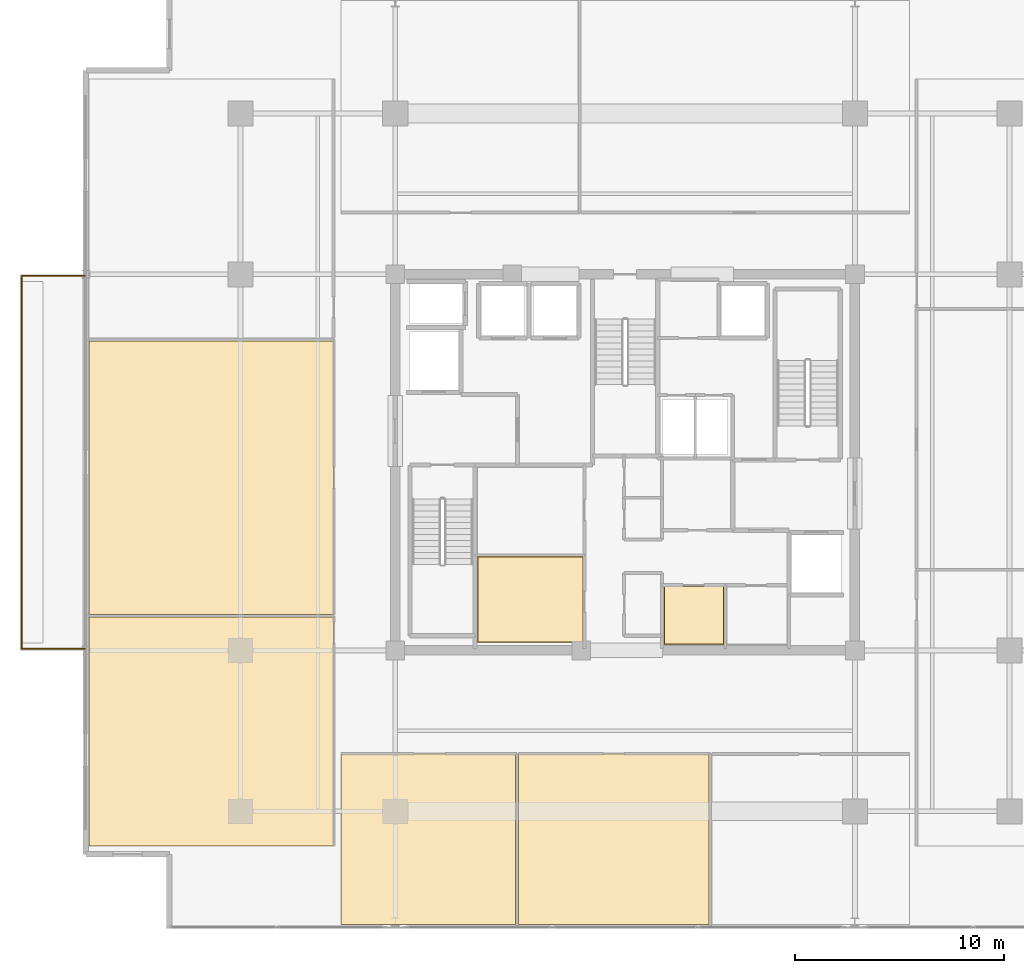
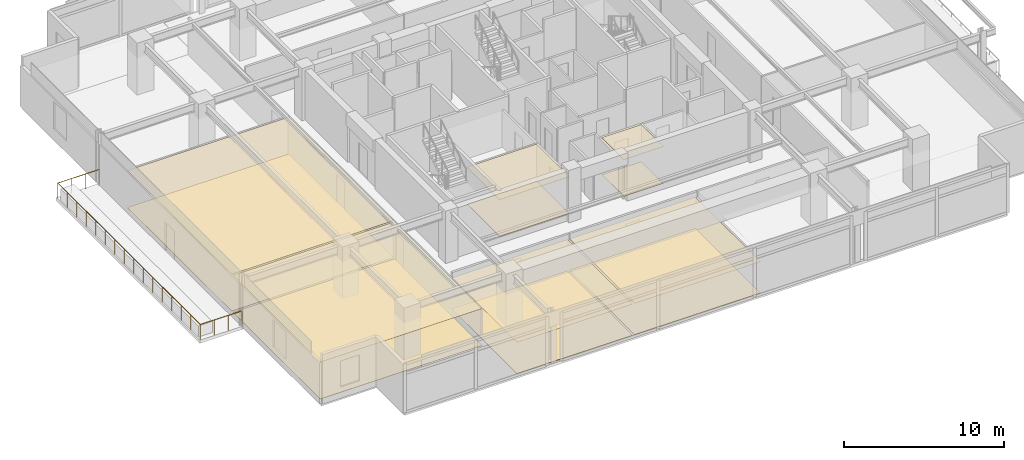
# One storey, part 17 of 20: 12 coverings, 1 railing.
"""IFC4 building model written with IfcOpenShell, lengths in metres."""

from ifc_helpers import new_model, si_unit, direction, frame, origin, origin_2d, place, context, subcontext, project, spatial, polyline, circle, outline, extrude, material, layer, layer_set, type_object, element, save


model = new_model("IFC4")

# Units and contexts
model_context = context("Model", 3, precision=1e-05, world=origin(), true_north=direction((0.0, 1.0)))
body_context = subcontext(model_context, "Body", "Model", "MODEL_VIEW")
ifc_project = project(units=[si_unit("LENGTHUNIT", "METRE"), si_unit("AREAUNIT", "SQUARE_METRE"), si_unit("VOLUMEUNIT", "CUBIC_METRE"), si_unit("PLANEANGLEUNIT", "RADIAN"), si_unit("MASSUNIT", "GRAM", prefix="KILO")], contexts=[model_context])

# Site, building, storey
site_placement = place(None, origin())
site = spatial("IfcSite", under=ifc_project, at=site_placement, CompositionType="ELEMENT")
building_placement = place(site_placement, origin())
building = spatial("IfcBuilding", under=site, at=building_placement, Name="Kovane Verandah Tower", CompositionType="ELEMENT")
storey_placement = place(building_placement, frame((0.0, 0.0, 279.199951171875)))
storey = spatial("IfcBuildingStorey", under=building, at=storey_placement, Name="L65", CompositionType="ELEMENT", Elevation=279.199951171875)

# Coverings
ifc_material_1 = material(Name="Perforated Acoustic Mineral-Fibre Ceiling Tile", Category="gypsum")
ifc_layer_1 = layer(ifc_material_1, 0.02490234375)
ifc_layer_set_1 = layer_set([ifc_layer_1], Name="Perforated Acoustic Mineral-Fibre Ceiling Tile")
covering_type_1 = type_object("IfcCoveringType", Name="CV-CEIL-25", PredefinedType="CEILING", material=ifc_layer_set_1)
covering_1_placement = place(storey_placement, frame((0.0, 0.0, 2.824951171875)))
element("IfcCovering", 1, at=covering_1_placement, inside=storey, type_object=covering_type_1, Name="L65 IT Server Room Acoustic Ceiling", PredefinedType="CEILING", context=body_context, shape_type="SweptSolid", body=[
    extrude(outline(polyline([(32.93505859375, 18.885009765625), (37.9951171875, 18.885009765625), (37.9951171875, 22.9951171875), (32.93505859375, 22.9951171875), (32.93505859375, 18.885009765625)])), origin(), (0.0, 0.0, 1.0), 0.025146484375),
])
covering_2_placement = place(storey_placement, frame((0.0, 0.0, 2.824951171875)))
element("IfcCovering", 2, at=covering_2_placement, inside=storey, type_object=covering_type_1, Name="L65 AV Control Room Acoustic Ceiling", PredefinedType="CEILING", context=body_context, shape_type="SweptSolid", body=[
    extrude(outline(polyline([(41.864990234375, 18.784912109375), (44.735107421875, 18.784912109375), (44.735107421875, 21.56494140625), (41.864990234375, 21.56494140625), (41.864990234375, 18.784912109375)])), origin(), (0.0, 0.0, 1.0), 0.025146484375),
])
covering_3_placement = place(storey_placement, frame((0.0, 0.0, 2.39013671875)))
element("IfcCovering", 3, at=covering_3_placement, inside=storey, type_object=covering_type_1, Name="L65 Client Boardroom S1 Acoustic Ceiling", PredefinedType="CEILING", context=body_context, shape_type="SweptSolid", body=[
    extrude(outline(polyline([(26.39990234375, 5.393798828125), (34.761962890625, 5.393798828125), (34.761962890625, 13.550048828125), (26.39990234375, 13.550048828125), (26.39990234375, 5.393798828125)])), origin(), (0.0, 0.0, 1.0), 0.02490234375),
])
covering_4_placement = place(storey_placement, frame((0.0, 0.0, 2.39013671875)))
element("IfcCovering", 4, at=covering_4_placement, inside=storey, type_object=covering_type_1, Name="L65 Meeting Room S2 Acoustic Ceiling", PredefinedType="CEILING", context=body_context, shape_type="SweptSolid", body=[
    extrude(outline(polyline([(34.902099609375, 5.393798828125), (44.010009765625, 5.393798828125), (44.010009765625, 13.550048828125), (34.902099609375, 13.550048828125), (34.902099609375, 5.393798828125)])), origin(), (0.0, 0.0, 1.0), 0.02490234375),
])
covering_5_placement = place(storey_placement, frame((0.0, 0.0, 2.824951171875)))
element("IfcCovering", 5, at=covering_5_placement, inside=storey, type_object=covering_type_1, Name="L65 Breakout Pantry W1 Acoustic Ceiling", PredefinedType="CEILING", context=body_context, shape_type="SweptSolid", body=[
    extrude(outline(polyline([(14.34033203125, 9.143798828125), (26.050048828125, 9.143798828125), (26.050048828125, 20.08740234375), (14.34033203125, 20.08740234375), (14.34033203125, 9.143798828125)])), origin(), (0.0, 0.0, 1.0), 0.025146484375),
])
covering_6_placement = place(storey_placement, frame((0.0, 0.0, 2.824951171875)))
element("IfcCovering", 6, at=covering_6_placement, inside=storey, type_object=covering_type_1, Name="L65 Collaboration Hub W2 Acoustic Ceiling", PredefinedType="CEILING", context=body_context, shape_type="SweptSolid", body=[
    extrude(outline(polyline([(14.34033203125, 20.2275390625), (26.050048828125, 20.2275390625), (26.050048828125, 33.303955078125), (14.34033203125, 33.303955078125), (14.34033203125, 20.2275390625)])), origin(), (0.0, 0.0, 1.0), 0.025146484375),
])
ifc_material_2 = material(Name="Polished Terrazzo and Raised-Access Carpet Tile Finish", Category="concrete")
ifc_layer_2 = layer(ifc_material_2, 0.030029296875)
ifc_layer_set_2 = layer_set([ifc_layer_2], Name="Polished Terrazzo and Raised-Access Carpet Tile Finish")
covering_type_2 = type_object("IfcCoveringType", Name="CV-FLOR-30", PredefinedType="FLOORING", material=ifc_layer_set_2)
covering_7_placement = place(storey_placement, origin())
element("IfcCovering", 7, at=covering_7_placement, inside=storey, type_object=covering_type_2, Name="L65 IT Server Room Floor Finish", PredefinedType="FLOORING", context=body_context, shape_type="SweptSolid", body=[
    extrude(outline(polyline([(32.949951171875, 18.89990234375), (37.97998046875, 18.89990234375), (37.97998046875, 22.97998046875), (32.949951171875, 22.97998046875), (32.949951171875, 18.89990234375)])), origin(), (0.0, 0.0, 1.0), 0.030029296875),
])
covering_8_placement = place(storey_placement, origin())
element("IfcCovering", 8, at=covering_8_placement, inside=storey, type_object=covering_type_2, Name="L65 AV Control Room Floor Finish", PredefinedType="FLOORING", context=body_context, shape_type="SweptSolid", body=[
    extrude(outline(polyline([(41.8798828125, 18.800048828125), (44.719970703125, 18.800048828125), (44.719970703125, 21.550048828125), (41.8798828125, 21.550048828125), (41.8798828125, 18.800048828125)])), origin(), (0.0, 0.0, 1.0), 0.030029296875),
])
covering_9_placement = place(storey_placement, origin())
element("IfcCovering", 9, at=covering_9_placement, inside=storey, type_object=covering_type_2, Name="L65 Client Boardroom S1 Floor Finish", PredefinedType="FLOORING", context=body_context, shape_type="SweptSolid", body=[
    extrude(outline(polyline([(26.39990234375, 5.393798828125), (34.761962890625, 5.393798828125), (34.761962890625, 13.550048828125), (26.39990234375, 13.550048828125), (26.39990234375, 5.393798828125)])), origin(), (0.0, 0.0, 1.0), 0.030029296875),
])
covering_10_placement = place(storey_placement, origin())
element("IfcCovering", 10, at=covering_10_placement, inside=storey, type_object=covering_type_2, Name="L65 Meeting Room S2 Floor Finish", PredefinedType="FLOORING", context=body_context, shape_type="SweptSolid", body=[
    extrude(outline(polyline([(34.902099609375, 5.393798828125), (44.010009765625, 5.393798828125), (44.010009765625, 13.550048828125), (34.902099609375, 13.550048828125), (34.902099609375, 5.393798828125)])), origin(), (0.0, 0.0, 1.0), 0.030029296875),
])
covering_11_placement = place(storey_placement, origin())
element("IfcCovering", 11, at=covering_11_placement, inside=storey, type_object=covering_type_2, Name="L65 Breakout Pantry W1 Floor Finish", PredefinedType="FLOORING", context=body_context, shape_type="SweptSolid", body=[
    extrude(outline(polyline([(14.34033203125, 9.143798828125), (26.050048828125, 9.143798828125), (26.050048828125, 20.08740234375), (14.34033203125, 20.08740234375), (14.34033203125, 9.143798828125)])), origin(), (0.0, 0.0, 1.0), 0.030029296875),
])
covering_12_placement = place(storey_placement, origin())
element("IfcCovering", 12, at=covering_12_placement, inside=storey, type_object=covering_type_2, Name="L65 Collaboration Hub W2 Floor Finish", PredefinedType="FLOORING", context=body_context, shape_type="SweptSolid", body=[
    extrude(outline(polyline([(14.34033203125, 20.2275390625), (26.050048828125, 20.2275390625), (26.050048828125, 33.303955078125), (14.34033203125, 33.303955078125), (14.34033203125, 20.2275390625)])), origin(), (0.0, 0.0, 1.0), 0.030029296875),
])

# Railing
ifc_material_3 = material(Name="Laminated Glass and Pale-Champagne Stainless Balustrade", Category="glass")
railing_type = type_object("IfcRailingType", Name="RL-BAL-1150", PredefinedType="BALUSTRADE", material=ifc_material_3)
railing_placement = place(storey_placement, frame((14.140380859375, 18.580078125, 0.0)))
element("IfcRailing", 13, at=railing_placement, inside=storey, type_object=railing_type, Name="L65 W Verandah Glass Balustrade", PredefinedType="BALUSTRADE", context=body_context, shape_type="SweptSolid", body=[
    extrude(circle(Radius=0.02392578125, at=origin_2d()), frame((0.0, 0.0, 1.1259765625), z_axis=(-1.0, 0.0, 0.0), x_axis=(0.0, -1.0, 0.0)), (0.0, 0.0, 1.0), 3.02001953125),
    extrude(circle(Radius=0.02392578125, at=origin_2d()), frame((-3.02001953125, 0.0, 1.1259765625), z_axis=(0.0, 1.0, 0.0), x_axis=(-1.0, 0.0, 0.0)), (0.0, 0.0, 1.0), 17.83984375),
    extrude(circle(Radius=0.02392578125, at=origin_2d()), frame((-3.02001953125, 17.83984375, 1.1259765625), z_axis=(1.0, 0.0, 0.0), x_axis=(0.0, 1.0, 0.0)), (0.0, 0.0, 1.0), 3.02001953125),
    extrude(circle(Radius=0.02099609375, at=origin_2d()), origin(), (0.0, 0.0, 1.0), 1.101806640625),
    extrude(circle(Radius=0.02099609375, at=origin_2d()), frame((-1.006591796875, 0.0, 0.0)), (0.0, 0.0, 1.0), 1.101806640625),
    extrude(circle(Radius=0.02099609375, at=origin_2d()), frame((-2.013427734375, 0.0, 0.0)), (0.0, 0.0, 1.0), 1.101806640625),
    extrude(circle(Radius=0.02099609375, at=origin_2d()), frame((-3.02001953125, 0.0, 0.0)), (0.0, 0.0, 1.0), 1.101806640625),
    extrude(circle(Radius=0.02099609375, at=origin_2d()), frame((-3.02001953125, 1.189208984375, 0.0)), (0.0, 0.0, 1.0), 1.101806640625),
    extrude(circle(Radius=0.02099609375, at=origin_2d()), frame((-3.02001953125, 2.378662109375, 0.0)), (0.0, 0.0, 1.0), 1.101806640625),
    extrude(circle(Radius=0.02099609375, at=origin_2d()), frame((-3.02001953125, 3.56787109375, 0.0)), (0.0, 0.0, 1.0), 1.101806640625),
    extrude(circle(Radius=0.02099609375, at=origin_2d()), frame((-3.02001953125, 4.75732421875, 0.0)), (0.0, 0.0, 1.0), 1.101806640625),
    extrude(circle(Radius=0.02099609375, at=origin_2d()), frame((-3.02001953125, 5.946533203125, 0.0)), (0.0, 0.0, 1.0), 1.101806640625),
    extrude(circle(Radius=0.02099609375, at=origin_2d()), frame((-3.02001953125, 7.135986328125, 0.0)), (0.0, 0.0, 1.0), 1.101806640625),
    extrude(circle(Radius=0.02099609375, at=origin_2d()), frame((-3.02001953125, 8.3251953125, 0.0)), (0.0, 0.0, 1.0), 1.101806640625),
    extrude(circle(Radius=0.02099609375, at=origin_2d()), frame((-3.02001953125, 9.5146484375, 0.0)), (0.0, 0.0, 1.0), 1.101806640625),
    extrude(circle(Radius=0.02099609375, at=origin_2d()), frame((-3.02001953125, 10.703857421875, 0.0)), (0.0, 0.0, 1.0), 1.101806640625),
    extrude(circle(Radius=0.02099609375, at=origin_2d()), frame((-3.02001953125, 11.893310546875, 0.0)), (0.0, 0.0, 1.0), 1.101806640625),
    extrude(circle(Radius=0.02099609375, at=origin_2d()), frame((-3.02001953125, 13.08251953125, 0.0)), (0.0, 0.0, 1.0), 1.101806640625),
    extrude(circle(Radius=0.02099609375, at=origin_2d()), frame((-3.02001953125, 14.27197265625, 0.0)), (0.0, 0.0, 1.0), 1.101806640625),
    extrude(circle(Radius=0.02099609375, at=origin_2d()), frame((-3.02001953125, 15.461181640625, 0.0)), (0.0, 0.0, 1.0), 1.101806640625),
    extrude(circle(Radius=0.02099609375, at=origin_2d()), frame((-3.02001953125, 16.650634765625, 0.0)), (0.0, 0.0, 1.0), 1.101806640625),
    extrude(circle(Radius=0.02099609375, at=origin_2d()), frame((-3.02001953125, 17.83984375, 0.0)), (0.0, 0.0, 1.0), 1.101806640625),
    extrude(circle(Radius=0.02099609375, at=origin_2d()), frame((-2.013427734375, 17.83984375, 0.0)), (0.0, 0.0, 1.0), 1.101806640625),
    extrude(circle(Radius=0.02099609375, at=origin_2d()), frame((-1.006591796875, 17.83984375, 0.0)), (0.0, 0.0, 1.0), 1.101806640625),
    extrude(circle(Radius=0.02099609375, at=origin_2d()), frame((0.0, 17.83984375, 0.0)), (0.0, 0.0, 1.0), 1.101806640625),
])

save(model, "model.ifc")
